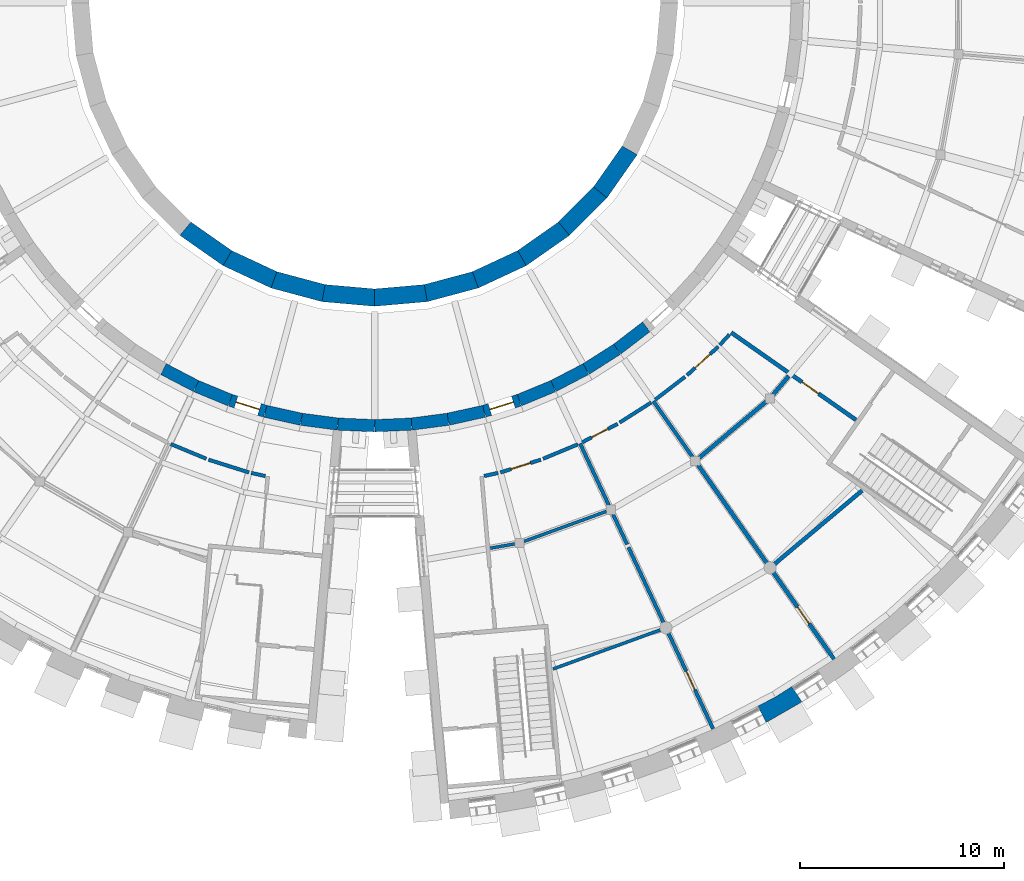
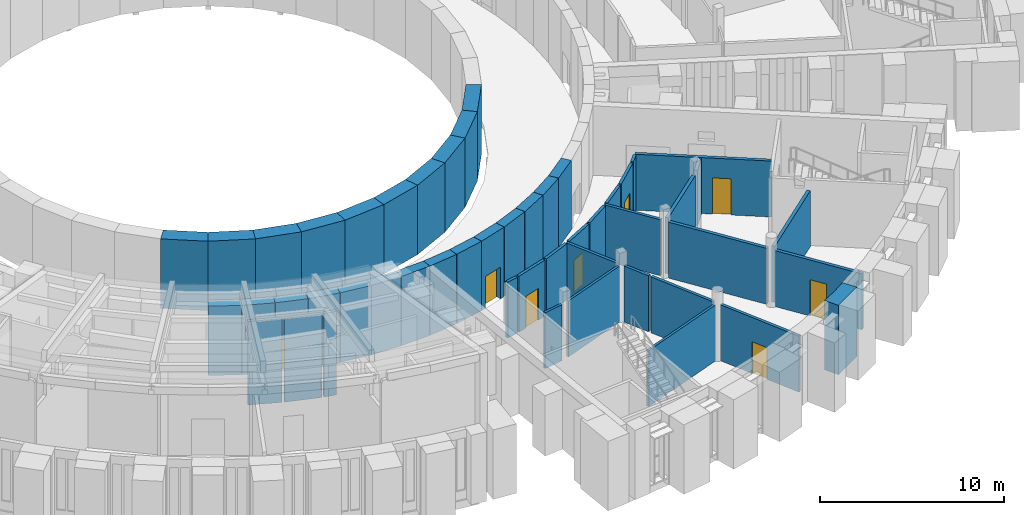
# One storey, part 39 of 66: 50 walls, 8 doors, 8 openings.
"""IFC4 building model written with IfcOpenShell, lengths in metres."""

import ifcopenshell
import ifcopenshell.guid

model = None  # the IFC model being written
_history = None  # IfcOwnerHistory: only IFC2X3 demands one
_inside = {}  # id of a spatial element -> (the spatial element, [elements in it])
_under = {}  # id of a project, library or spatial element -> (it, [spatial elements below it])
_declared = {}  # id of a project -> (the project, [libraries it declares])
_typed = {}  # id of a type object -> (the type object, [elements of that type])
_made_of = {}  # id of a material, layer set ... -> (it, [elements and type objects made of it])


def new_model(schema):
    """Start an empty IFC model of exactly this schema.

    Asked for "IFC4X3", IfcOpenShell would pick the latest addendum, in which some entities
    have other attributes; the version numbers below select the first issue.
    IFC2X3 requires an IfcOwnerHistory on every rooted entity: one is made here for all.
    """
    global model, _history
    if schema == "IFC4X3":
        model = ifcopenshell.file(schema_version=(4, 3, 0, 0))
    else:
        model = ifcopenshell.file(schema=schema)
    _inside.clear()
    _under.clear()
    _declared.clear()
    _typed.clear()
    _made_of.clear()
    _history = None
    if model.schema == "IFC2X3":
        org = make("IfcOrganization", Name="unknown")
        user = make(
            "IfcPersonAndOrganization",
            ThePerson=make("IfcPerson", FamilyName="unknown"),
            TheOrganization=org,
        )
        app = make(
            "IfcApplication",
            ApplicationDeveloper=org,
            Version="unknown",
            ApplicationFullName="unknown",
            ApplicationIdentifier="unknown",
        )
        _history = make(
            "IfcOwnerHistory",
            OwningUser=user,
            OwningApplication=app,
            ChangeAction="ADDED",
            CreationDate=0,
        )
    return model


def make(cls, **values):
    """One entity of the class cls with the attributes given. An attribute that is None is left unset."""
    return model.create_entity(
        cls, **{name: value for name, value in values.items() if value is not None}
    )


def rooted(cls, **values):
    """An entity with a GlobalId (a new one), such as an element, a storey or a relation."""
    return make(cls, GlobalId=ifcopenshell.guid.new(), OwnerHistory=_history, **values)


def si_unit(unit_type, name, prefix=None):
    """IfcSIUnit, for example si_unit("LENGTHUNIT", "METRE", prefix="MILLI")."""
    return make("IfcSIUnit", UnitType=unit_type, Prefix=prefix, Name=name)


def assignment(units):
    """IfcUnitAssignment: the units of a project."""
    return None if units is None else make("IfcUnitAssignment", Units=units)


def point(xyz):
    """IfcCartesianPoint."""
    return None if xyz is None else make("IfcCartesianPoint", Coordinates=xyz)


def direction(xyz):
    """IfcDirection."""
    return None if xyz is None else make("IfcDirection", DirectionRatios=xyz)


def frame(location, z_axis=None, x_axis=None):
    """IfcAxis2Placement3D, a coordinate frame: its origin and axes. An axis left out is left unset."""
    return make(
        "IfcAxis2Placement3D",
        Location=point(location),
        Axis=direction(z_axis),
        RefDirection=direction(x_axis),
    )


def frame_2d(location, x_axis=None):
    """IfcAxis2Placement2D, a coordinate frame in the plane: its origin and x axis."""
    return make(
        "IfcAxis2Placement2D", Location=point(location), RefDirection=direction(x_axis)
    )


def origin():
    """The frame at (0, 0, 0) with its axes left unset."""
    return frame((0.0, 0.0, 0.0))


def place(relative_to, where):
    """IfcLocalPlacement: puts the frame where relative to a parent placement (None: the world)."""
    return make(
        "IfcLocalPlacement", PlacementRelTo=relative_to, RelativePlacement=where
    )


def context(
    kind, dimensions, precision=None, world=None, true_north=None, identifier=None
):
    """IfcGeometricRepresentationContext, for example the 3D "Model" context."""
    return make(
        "IfcGeometricRepresentationContext",
        ContextIdentifier=identifier,
        ContextType=kind,
        CoordinateSpaceDimension=dimensions,
        Precision=precision,
        WorldCoordinateSystem=world,
        TrueNorth=true_north,
    )


def subcontext(parent, identifier, kind, view, scale=None):
    """IfcGeometricRepresentationSubContext, for example "Body" below "Model"."""
    return make(
        "IfcGeometricRepresentationSubContext",
        ContextIdentifier=identifier,
        ContextType=kind,
        ParentContext=parent,
        TargetScale=scale,
        TargetView=view,
    )


def project(units=None, contexts=None):
    """IfcProject with its units and contexts."""
    return rooted(
        "IfcProject",
        Name="project",
        RepresentationContexts=contexts,
        UnitsInContext=assignment(units),
    )


def spatial(cls, under=None, at=None, **own):
    """A site, building, storey or space (cls), placed at a placement, below another one or the project."""
    s = rooted(cls, ObjectPlacement=at, **own)
    if under is not None:
        _under.setdefault(under.id(), (under, []))[1].append(s)
    return s


def polyline(points):
    """IfcPolyline through the points."""
    return make("IfcPolyline", Points=[point(p) for p in points])


def profile(cls, at=None, kind="AREA", **sizes):
    """A parametric profile (cls). Its sizes go by their IFC names, for example OverallWidth=200.0."""
    return make(cls, ProfileType=kind, Position=at, **sizes)


def rectangle(**sizes):
    """IfcRectangleProfileDef."""
    return profile("IfcRectangleProfileDef", **sizes)


def outline(outer, holes=None, kind="AREA"):
    """IfcArbitraryClosedProfileDef: a profile drawn as a closed curve; with holes, ...WithVoids."""
    if holes is None:
        return make("IfcArbitraryClosedProfileDef", ProfileType=kind, OuterCurve=outer)
    return make(
        "IfcArbitraryProfileDefWithVoids",
        ProfileType=kind,
        OuterCurve=outer,
        InnerCurves=holes,
    )


def extrude(swept, where, along, depth):
    """IfcExtrudedAreaSolid: the profile swept, set in the frame where, extruded along a direction by depth."""
    return make(
        "IfcExtrudedAreaSolid",
        SweptArea=swept,
        Position=where,
        ExtrudedDirection=direction(along),
        Depth=depth,
    )


def shape(context_of_items, identifier, shape_type, items):
    """IfcShapeRepresentation: the items that make up one representation, for example the "Body"."""
    return make(
        "IfcShapeRepresentation",
        ContextOfItems=context_of_items,
        RepresentationIdentifier=identifier,
        RepresentationType=shape_type,
        Items=items,
    )


def material(Name=None, Category=None):
    """IfcMaterial."""
    return make("IfcMaterial", Name=Name, Category=Category)


def layer(
    of_material, thickness, ventilated=None, Name=None, Category=None, Priority=None
):
    """IfcMaterialLayer: one layer of a wall or slab, of a material (None: an air gap)."""
    return make(
        "IfcMaterialLayer",
        Material=of_material,
        LayerThickness=thickness,
        IsVentilated=ventilated,
        Name=Name,
        Category=Category,
        Priority=Priority,
    )


def layer_set(layers, Name=None):
    """IfcMaterialLayerSet."""
    return make("IfcMaterialLayerSet", MaterialLayers=layers, LayerSetName=Name)


def made_of(thing, what):
    """Note that an element or type object is made of a material, layer set ...; save() writes the relation."""
    if what is not None:
        _made_of.setdefault(what.id(), (what, []))[1].append(thing)
    return thing


def type_object(cls, material=None, **own):
    """A type object (cls), such as IfcWallType, which elements share."""
    return made_of(rooted(cls, **own), material)


def element(
    cls,
    number,
    at=None,
    inside=None,
    cuts=None,
    type_object=None,
    material=None,
    context=None,
    identifier="Body",
    shape_type=None,
    held_by="IfcProductDefinitionShape",
    body=None,
    shapes=None,
    **own,
):
    """One element of the class cls, such as IfcWall. Its Tag is "e" and its number.

    at: its placement. inside: the storey or other place that contains it. cuts: it is an
    opening in that element (IfcRelVoidsElement). A single representation is given by context,
    identifier, shape_type and body (its items); several are given by shapes. held_by: the class
    of the entity that holds the representations. save() writes the other relations.
    """
    e = rooted(cls, Tag="e%d" % number, ObjectPlacement=at, **own)
    if body is not None:
        shapes = [shape(context, identifier, shape_type, body)]
    if shapes is not None:
        e.Representation = make(held_by, Representations=shapes)
    if inside is not None:
        _inside.setdefault(inside.id(), (inside, []))[1].append(e)
    if cuts is not None:
        rooted(
            "IfcRelVoidsElement", RelatingBuildingElement=cuts, RelatedOpeningElement=e
        )
    if type_object is not None:
        _typed.setdefault(type_object.id(), (type_object, []))[1].append(e)
    return made_of(e, material)


def fill(opening, filler):
    """IfcRelFillsElement: the door or window that sits in an opening."""
    return rooted(
        "IfcRelFillsElement",
        RelatingOpeningElement=opening,
        RelatedBuildingElement=filler,
    )


def aggregate(whole, parts):
    """IfcRelAggregates: a whole, such as a stair, and the parts it consists of."""
    return rooted("IfcRelAggregates", RelatingObject=whole, RelatedObjects=parts)


def save(model, path):
    """Write the relations noted so far, then the file.

    IfcRelAggregates (storeys below a building ...), IfcRelContainedInSpatialStructure (elements
    in a storey), IfcRelDefinesByType, IfcRelAssociatesMaterial and IfcRelDeclares: one each for
    every whole, place, type object, material and project.
    """
    for whole, parts in _under.values():
        aggregate(whole, parts)
    for where, things in _inside.values():
        rooted(
            "IfcRelContainedInSpatialStructure",
            RelatedElements=things,
            RelatingStructure=where,
        )
    for kind, things in _typed.values():
        rooted("IfcRelDefinesByType", RelatedObjects=things, RelatingType=kind)
    for what, things in _made_of.values():
        rooted("IfcRelAssociatesMaterial", RelatedObjects=things, RelatingMaterial=what)
    for by, libraries in _declared.values():
        rooted("IfcRelDeclares", RelatingContext=by, RelatedDefinitions=libraries)
    model.write(path)


model = new_model("IFC4")

# Units and contexts
model_context = context("Model", 3, precision=1e-05, world=origin(), true_north=direction((0.0, 1.0)))
body_context = subcontext(model_context, "Body", "Model", "MODEL_VIEW")
ifc_project = project(units=[si_unit("LENGTHUNIT", "METRE"), si_unit("AREAUNIT", "SQUARE_METRE"), si_unit("VOLUMEUNIT", "CUBIC_METRE"), si_unit("PLANEANGLEUNIT", "RADIAN"), si_unit("MASSUNIT", "GRAM", prefix="KILO")], contexts=[model_context])

# Site, building, storey
site_placement = place(None, origin())
site = spatial("IfcSite", under=ifc_project, at=site_placement, CompositionType="ELEMENT")
building_placement = place(site_placement, origin())
building = spatial("IfcBuilding", under=site, at=building_placement, Name="Volute Hill Aquarium", CompositionType="ELEMENT")
storey_placement = place(building_placement, frame((0.0, 0.0, 4.60009765625)))
storey = spatial("IfcBuildingStorey", under=building, at=storey_placement, Name="L02", CompositionType="ELEMENT", Elevation=4.60009765625)

# Walls
ifc_material_1 = material(Name="Gypsum board on steel studs", Category="steel")
ifc_layer_1 = layer(ifc_material_1, 0.14990234375)
ifc_layer_set_1 = layer_set([ifc_layer_1], Name="Acoustic partition 150")
wall_type_1 = type_object("IfcWallType", Name="Acoustic partition 150", PredefinedType="PARTITIONING", material=ifc_layer_set_1)
wall_1_placement = place(storey_placement, frame((14.045166015625, -30.68505859375, 0.0), z_axis=(0.0, 0.0, 1.0), x_axis=(-0.939689857066, -0.342027736489, 0.0)))
element("IfcWall", 1, at=wall_1_placement, inside=storey, type_object=wall_type_1, Name="pw/S3/L02/004", PredefinedType="PARTITIONING", context=body_context, shape_type="SweptSolid", body=[
    extrude(rectangle(XDim=5.646240234375, YDim=0.14990234375, at=frame_2d((2.8232421875, 0.0))), origin(), (0.0, 0.0, 1.0), 3.7099609375),
])
wall_2_placement = place(storey_placement, frame((11.347412109375, -24.899658203125, 0.0), z_axis=(0.0, 0.0, 1.0), x_axis=(-0.939698761805, -0.342003270543, 0.0)))
element("IfcWall", 2, at=wall_2_placement, inside=storey, type_object=wall_type_1, Name="pw/S3/L02/008", PredefinedType="PARTITIONING", context=body_context, shape_type="SweptSolid", body=[
    extrude(rectangle(XDim=4.2939453125, YDim=0.14990234375, at=frame_2d((2.14697265625, 0.0))), origin(), (0.0, 0.0, 1.0), 3.7099609375),
])
wall_3_placement = place(storey_placement, frame((6.85107421875, -26.49169921875, 0.0), z_axis=(0.0, 0.0, 1.0), x_axis=(-0.984775389783, -0.173831618753, 0.0)))
element("IfcWall", 3, at=wall_3_placement, inside=storey, type_object=wall_type_1, Name="pw/S3/L02/020", PredefinedType="PARTITIONING", context=body_context, shape_type="SweptSolid", body=[
    extrude(rectangle(XDim=1.20361328125, YDim=0.14990234375, at=frame_2d((0.601806640625, 0.0))), origin(), (0.0, 0.0, 1.0), 3.7099609375),
])
ifc_material_2 = material(Name="Gypsum board on steel studs", Category="steel")
ifc_layer_2 = layer(ifc_material_2, 0.175048828125)
ifc_layer_set_2 = layer_set([ifc_layer_2], Name="Corridor partition 175 EI 60")
wall_type_2 = type_object("IfcWallType", Name="Corridor partition 175 EI 60", PredefinedType="PARTITIONING", material=ifc_layer_set_2)
wall_4_placement = place(storey_placement, frame((-6.159912109375, -22.989013671875, 0.0), z_axis=(0.0, 0.0, 1.0), x_axis=(-0.953730050022, 0.300664250759, 0.0)))
element("IfcWall", 4, at=wall_4_placement, inside=storey, type_object=wall_type_2, Name="pw/S2/L02/010", PredefinedType="PARTITIONING", context=body_context, shape_type="SweptSolid", body=[
    extrude(rectangle(XDim=2.076416015625, YDim=0.175048828125, at=frame_2d((1.0380859375, 0.0))), origin(), (0.0, 0.0, 1.0), 5.54150390625),
])
wall_5_placement = place(storey_placement, frame((-8.24853515625, -22.319580078125, 0.0), z_axis=(0.0, 0.0, 1.0), x_axis=(-0.923882216761, 0.382676951949, 0.0)))
element("IfcWall", 5, at=wall_5_placement, inside=storey, type_object=wall_type_2, Name="pw/S2/L02/012", PredefinedType="PARTITIONING", context=body_context, shape_type="SweptSolid", body=[
    extrude(rectangle(XDim=1.87890625, YDim=0.175048828125, at=frame_2d((0.939453125, 0.0))), origin(), (0.0, 0.0, 1.0), 5.54248046875),
])
wall_6_placement = place(storey_placement, frame((-5.35595703125, -23.167236328125, 0.0), z_axis=(0.0, 0.0, 1.0), x_axis=(-0.976284608058, 0.216491025379, 0.0)))
element("IfcWall", 6, at=wall_6_placement, inside=storey, type_object=wall_type_2, Name="pw/S2/L02/014", PredefinedType="PARTITIONING", context=body_context, shape_type="SweptSolid", body=[
    extrude(rectangle(XDim=0.7060546875, YDim=0.175048828125, at=frame_2d((0.35302734375, 0.0))), origin(), (0.0, 0.0, 1.0), 5.54296875),
])

# Wall, opening, door
wall_7_placement = place(storey_placement, frame((16.5751953125, -35.54541015625, 0.0), z_axis=(0.0, 0.0, 1.0), x_axis=(-0.422659862642, 0.906288387056, 0.0)))
wall_7 = element("IfcWall", 7, at=wall_7_placement, inside=storey, type_object=wall_type_2, Name="pw/S3/L02/006", PredefinedType="PARTITIONING", context=body_context, shape_type="SweptSolid", body=[
    extrude(rectangle(XDim=5.213623046875, YDim=0.175048828125, at=frame_2d((2.60693359375, 0.0))), origin(), (0.0, 0.0, 1.0), 3.7099609375),
])
opening_1_placement = place(wall_7_placement, frame((2.106689453125, 0.0, 0.0)))
opening_1 = element("IfcOpeningElement", 8, at=opening_1_placement, cuts=wall_7, Name="Opening D3.02.06", PredefinedType="OPENING", context=body_context, shape_type="SweptSolid", body=[
    extrude(rectangle(XDim=1.0, YDim=2.10009765625, at=frame_2d((0.5, 1.050048828125))), frame((0.0, 0.097412109375, 0.0), z_axis=(0.0, -1.0, 0.0), x_axis=(1.0, 0.0, 0.0)), (0.0, 0.0, 1.0), 0.195068359375),
])
ifc_material_3 = material(Name="Timber, fire-rated", Category="wood")
door_type_1 = type_object("IfcDoorType", Name="Door 1000 x 2100 single EI1 30", OperationType="SINGLE_SWING_LEFT", PredefinedType="DOOR", material=ifc_material_3)
door_1_placement = place(opening_1_placement, origin())
door_1 = element("IfcDoor", 9, at=door_1_placement, inside=storey, type_object=door_type_1, Name="d/S3/L02/06", OperationType="SINGLE_SWING_RIGHT", OverallHeight=2.10009765625, OverallWidth=1.0, PredefinedType="DOOR", context=body_context, shape_type="SweptSolid", body=[
    extrude(rectangle(XDim=1.0, YDim=2.10009765625, at=frame_2d((0.5, 1.050048828125))), frame((0.0, 0.02490234375, 0.0), z_axis=(0.0, -1.0, 0.0), x_axis=(1.0, 0.0, 0.0)), (0.0, 0.0, 1.0), 0.050048828125),
])
fill(opening_1, door_1)

# Walls
wall_8_placement = place(storey_placement, frame((12.429931640625, -26.656005859375, 0.0), z_axis=(0.0, 0.0, 1.0), x_axis=(0.422628880051, -0.906302835561, 0.0)))
element("IfcWall", 10, at=wall_8_placement, inside=storey, type_object=wall_type_2, Name="pw/S3/L02/010", PredefinedType="PARTITIONING", context=body_context, shape_type="SweptSolid", body=[
    extrude(rectangle(XDim=4.115234375, YDim=0.175048828125, at=frame_2d((2.0576171875, 0.0))), origin(), (0.0, 0.0, 1.0), 3.7099609375),
])
wall_9_placement = place(storey_placement, frame((11.471435546875, -24.6005859375, 0.0), z_axis=(0.0, 0.0, 1.0), x_axis=(-0.422601651571, 0.906315532301, 0.0)))
element("IfcWall", 11, at=wall_9_placement, inside=storey, type_object=wall_type_2, Name="pw/S3/L02/011", PredefinedType="PARTITIONING", context=body_context, shape_type="SweptSolid", body=[
    extrude(rectangle(XDim=3.34375, YDim=0.175048828125, at=frame_2d((1.671875, 0.0))), origin(), (0.0, 0.0, 1.0), 3.7099609375),
])
wall_10_placement = place(storey_placement, frame((15.56884765625, -22.234619140625, 0.0), z_axis=(0.0, 0.0, 1.0), x_axis=(-0.573579956171, 0.819149579673, 0.0)))
element("IfcWall", 12, at=wall_10_placement, inside=storey, type_object=wall_type_2, Name="pw/S3/L02/012", PredefinedType="PARTITIONING", context=body_context, shape_type="SweptSolid", body=[
    extrude(rectangle(XDim=3.343505859375, YDim=0.175048828125, at=frame_2d((1.671875, 0.0))), origin(), (0.0, 0.0, 1.0), 3.7099609375),
])

# Wall, opening, door
wall_11_placement = place(storey_placement, frame((16.8291015625, -16.8291015625, 0.0), z_axis=(0.0, 0.0, 1.0), x_axis=(-0.737241988031, -0.675628782013, 0.0)))
wall_11 = element("IfcWall", 13, at=wall_11_placement, inside=storey, type_object=wall_type_2, Name="pw/S3/L02/013", PredefinedType="PARTITIONING", context=body_context, shape_type="SweptSolid", body=[
    extrude(rectangle(XDim=2.076416015625, YDim=0.175048828125, at=frame_2d((1.0380859375, 0.0))), origin(), (0.0, 0.0, 1.0), 3.7099609375),
])
opening_2_placement = place(wall_11_placement, frame((0.5380859375, 0.0, 0.0)))
opening_2 = element("IfcOpeningElement", 14, at=opening_2_placement, cuts=wall_11, Name="Opening D3.02.03", PredefinedType="OPENING", context=body_context, shape_type="SweptSolid", body=[
    extrude(rectangle(XDim=1.0, YDim=2.10009765625, at=frame_2d((0.5, 1.050048828125))), frame((0.0, 0.097412109375, 0.0), z_axis=(0.0, -1.0, 0.0), x_axis=(1.0, 0.0, 0.0)), (0.0, 0.0, 1.0), 0.195068359375),
])
door_2_placement = place(opening_2_placement, origin())
door_2 = element("IfcDoor", 15, at=door_2_placement, inside=storey, type_object=door_type_1, Name="d/S3/L02/03", OperationType="SINGLE_SWING_LEFT", OverallHeight=2.10009765625, OverallWidth=1.0, PredefinedType="DOOR", context=body_context, shape_type="SweptSolid", body=[
    extrude(rectangle(XDim=1.0, YDim=2.10009765625, at=frame_2d((0.5, 1.050048828125))), frame((0.0, 0.02490234375, 0.0), z_axis=(0.0, -1.0, 0.0), x_axis=(1.0, 0.0, 0.0)), (0.0, 0.0, 1.0), 0.050048828125),
])
fill(opening_2, door_2)

wall_12_placement = place(storey_placement, frame((11.89990234375, -20.611328125, 0.0), z_axis=(0.0, 0.0, 1.0), x_axis=(-0.886977909213, -0.46181185408, 0.0)))
wall_12 = element("IfcWall", 16, at=wall_12_placement, inside=storey, type_object=wall_type_2, Name="pw/S3/L02/014", PredefinedType="PARTITIONING", context=body_context, shape_type="SweptSolid", body=[
    extrude(rectangle(XDim=1.958740234375, YDim=0.175048828125, at=frame_2d((0.9794921875, 0.0))), origin(), (0.0, 0.0, 1.0), 3.7099609375),
])
opening_3_placement = place(wall_12_placement, frame((0.529296875, 0.0, 0.0)))
opening_3 = element("IfcOpeningElement", 17, at=opening_3_placement, cuts=wall_12, Name="Opening D3.02.01", PredefinedType="OPENING", context=body_context, shape_type="SweptSolid", body=[
    extrude(rectangle(XDim=0.89990234375, YDim=2.10009765625, at=frame_2d((0.449951171875, 1.050048828125))), frame((0.0, 0.097412109375, 0.0), z_axis=(0.0, -1.0, 0.0), x_axis=(1.0, 0.0, 0.0)), (0.0, 0.0, 1.0), 0.195068359375),
])
ifc_material_4 = material(Name="Timber, fire-rated", Category="wood")
door_type_2 = type_object("IfcDoorType", Name="Door 900 x 2100 wc single EI1 30", OperationType="SINGLE_SWING_LEFT", PredefinedType="DOOR", material=ifc_material_4)
door_3_placement = place(opening_3_placement, origin())
door_3 = element("IfcDoor", 18, at=door_3_placement, inside=storey, type_object=door_type_2, Name="d/S3/L02/01", OperationType="SINGLE_SWING_LEFT", OverallHeight=2.10009765625, OverallWidth=0.89990234375, PredefinedType="DOOR", context=body_context, shape_type="SweptSolid", body=[
    extrude(rectangle(XDim=0.89990234375, YDim=2.10009765625, at=frame_2d((0.449951171875, 1.050048828125))), frame((0.0, 0.02490234375, 0.0), z_axis=(0.0, -1.0, 0.0), x_axis=(1.0, 0.0, 0.0)), (0.0, 0.0, 1.0), 0.050048828125),
])
fill(opening_3, door_3)

wall_13_placement = place(storey_placement, frame((8.14013671875, -22.36474609375, 0.0), z_axis=(0.0, 0.0, 1.0), x_axis=(-0.953730050022, -0.300664250759, 0.0)))
wall_13 = element("IfcWall", 19, at=wall_13_placement, inside=storey, type_object=wall_type_2, Name="pw/S3/L02/015", PredefinedType="PARTITIONING", context=body_context, shape_type="SweptSolid", body=[
    extrude(rectangle(XDim=2.076416015625, YDim=0.175048828125, at=frame_2d((1.0380859375, 0.0))), origin(), (0.0, 0.0, 1.0), 3.7099609375),
])
opening_4_placement = place(wall_13_placement, frame((0.5380859375, 0.0, 0.0)))
opening_4 = element("IfcOpeningElement", 20, at=opening_4_placement, cuts=wall_13, Name="Opening D3.02.02", PredefinedType="OPENING", context=body_context, shape_type="SweptSolid", body=[
    extrude(rectangle(XDim=1.0, YDim=2.10009765625, at=frame_2d((0.5, 1.050048828125))), frame((0.0, 0.097412109375, 0.0), z_axis=(0.0, -1.0, 0.0), x_axis=(1.0, 0.0, 0.0)), (0.0, 0.0, 1.0), 0.195068359375),
])
door_4_placement = place(opening_4_placement, origin())
door_4 = element("IfcDoor", 21, at=door_4_placement, inside=storey, type_object=door_type_1, Name="d/S3/L02/02", OperationType="SINGLE_SWING_RIGHT", OverallHeight=2.10009765625, OverallWidth=1.0, PredefinedType="DOOR", context=body_context, shape_type="SweptSolid", body=[
    extrude(rectangle(XDim=1.0, YDim=2.10009765625, at=frame_2d((0.5, 1.050048828125))), frame((0.0, 0.02490234375, 0.0), z_axis=(0.0, -1.0, 0.0), x_axis=(1.0, 0.0, 0.0)), (0.0, 0.0, 1.0), 0.050048828125),
])
fill(opening_4, door_4)

# Walls
for number, where, z_axis, x_axis, name in (
    (22, (13.552001953125, -19.558837890625, 0.0), (0.0, 0.0, 1.0), (-0.843355631899, -0.537355820797, 0.0), "pw/S3/L02/016"),
    (23, (9.94970703125, -21.614990234375, 0.0), (0.0, 0.0, 1.0), (-0.923890787601, -0.382656259044, 0.0), "pw/S3/L02/017"),
):
    element("IfcWall", number, at=place(storey_placement, frame(where, z_axis=z_axis, x_axis=x_axis)), inside=storey, type_object=wall_type_2, Name=name, PredefinedType="PARTITIONING", context=body_context, shape_type="SweptSolid", body=[
        extrude(rectangle(XDim=1.84130859375, YDim=0.175048828125, at=frame_2d((0.920654296875, 0.0))), origin(), (0.0, 0.0, 1.0), 3.7099609375),
    ])
wall_14_placement = place(storey_placement, frame((15.205078125, -18.303466796875, 0.0), z_axis=(0.0, 0.0, 1.0), x_axis=(-0.793348048489, -0.608768325357, 0.0)))
element("IfcWall", 24, at=wall_14_placement, inside=storey, type_object=wall_type_2, Name="pw/S3/L02/018", PredefinedType="PARTITIONING", context=body_context, shape_type="SweptSolid", body=[
    extrude(rectangle(XDim=1.841064453125, YDim=0.175048828125, at=frame_2d((0.92041015625, 0.0))), origin(), (0.0, 0.0, 1.0), 3.7099609375),
])
wall_15_placement = place(storey_placement, frame((11.674072265625, -25.034912109375, 0.0), z_axis=(0.0, 0.0, 1.0), x_axis=(0.422616329409, -0.906308688095, 0.0)))
element("IfcWall", 25, at=wall_15_placement, inside=storey, type_object=wall_type_2, Name="pw/S3/L02/019", PredefinedType="PARTITIONING", context=body_context, shape_type="SweptSolid", body=[
    extrude(rectangle(XDim=1.638916015625, YDim=0.175048828125, at=frame_2d((0.8193359375, 0.0))), origin(), (0.0, 0.0, 1.0), 3.7099609375),
])
wall_16_placement = place(storey_placement, frame((6.045166015625, -23.014404296875, 0.0), z_axis=(0.0, 0.0, 1.0), x_axis=(-0.976284608058, -0.216491025379, 0.0)))
element("IfcWall", 26, at=wall_16_placement, inside=storey, type_object=wall_type_2, Name="pw/S3/L02/022", PredefinedType="PARTITIONING", context=body_context, shape_type="SweptSolid", body=[
    extrude(rectangle(XDim=0.7060546875, YDim=0.175048828125, at=frame_2d((0.35302734375, 0.0))), origin(), (0.0, 0.0, 1.0), 3.7099609375),
])
wall_17_placement = place(storey_placement, frame((17.376953125, -16.231201171875, 0.0), z_axis=(0.0, 0.0, 1.0), x_axis=(-0.675628965134, -0.737241820214, 0.0)))
element("IfcWall", 27, at=wall_17_placement, inside=storey, type_object=wall_type_2, Name="pw/S3/L02/023", PredefinedType="PARTITIONING", context=body_context, shape_type="SweptSolid", body=[
    extrude(rectangle(XDim=0.693359375, YDim=0.175048828125, at=frame_2d((0.3466796875, 0.0))), origin(), (0.0, 0.0, 1.0), 3.7099609375),
])
ifc_material_5 = material(Name="Concrete C35/45", Category="concrete")
ifc_layer_3 = layer(ifc_material_5, 0.60009765625)
ifc_layer_set_3 = layer_set([ifc_layer_3], Name="Drum wall C35/45 600")
wall_type_3 = type_object("IfcWallType", Name="Drum wall C35/45 600", PredefinedType="SHEAR", material=ifc_layer_set_3)
for number, where, z_axis, x_axis, name in (
    (28, (-10.35009765625, -17.9267578125, 0.0), (0.0, 0.0, 1.0), (0.887035219654, -0.461701764231, 0.0), "sw/DR/L02/48"),
    (29, (-8.748291015625, -18.760498046875, 0.0), (0.0, 0.0, 1.0), (0.923866889322, -0.382713954298, 0.0), "sw/DR/L02/49"),
):
    element("IfcWall", number, at=place(storey_placement, frame(where, z_axis=z_axis, x_axis=x_axis)), inside=storey, type_object=wall_type_3, Name=name, PredefinedType="SHEAR", context=body_context, shape_type="SweptSolid", body=[
        extrude(rectangle(XDim=1.805908203125, YDim=0.60009765625, at=frame_2d((0.90283203125, 0.0))), origin(), (0.0, 0.0, 1.0), 4.599853515625),
    ])

# Wall, opening, door
wall_18_placement = place(storey_placement, frame((-7.079833984375, -19.45166015625, 0.0), z_axis=(0.0, 0.0, 1.0), x_axis=(0.953721512733, -0.300691330354, 0.0)))
wall_18 = element("IfcWall", 30, at=wall_18_placement, inside=storey, type_object=wall_type_3, Name="sw/DR/L02/50", PredefinedType="SHEAR", context=body_context, shape_type="SweptSolid", body=[
    extrude(rectangle(XDim=1.8056640625, YDim=0.60009765625, at=frame_2d((0.90283203125, 0.0))), origin(), (0.0, 0.0, 1.0), 4.599853515625),
])
opening_5_placement = place(wall_18_placement, frame((0.302978515625, 0.0, 0.0)))
opening_5 = element("IfcOpeningElement", 31, at=opening_5_placement, cuts=wall_18, Name="Opening D2.02.R2", PredefinedType="OPENING", context=body_context, shape_type="SweptSolid", body=[
    extrude(rectangle(XDim=1.199951171875, YDim=2.10009765625, at=frame_2d((0.60009765625, 1.050048828125))), frame((0.0, 0.31005859375, 0.0), z_axis=(0.0, -1.0, 0.0), x_axis=(1.0, 0.0, 0.0)), (0.0, 0.0, 1.0), 0.6201171875),
])
ifc_material_6 = material(Name="Timber", Category="wood")
door_type_3 = type_object("IfcDoorType", Name="Door 1200 x 2100 drum double", OperationType="DOUBLE_DOOR_SINGLE_SWING", PredefinedType="DOOR", material=ifc_material_6)
door_5_placement = place(opening_5_placement, origin())
door_5 = element("IfcDoor", 32, at=door_5_placement, inside=storey, type_object=door_type_3, Name="d/S2/L02/dr2", OperationType="SINGLE_SWING_LEFT", OverallHeight=2.10009765625, OverallWidth=1.199951171875, PredefinedType="DOOR", context=body_context, shape_type="SweptSolid", body=[
    extrude(rectangle(XDim=1.199951171875, YDim=2.10009765625, at=frame_2d((0.60009765625, 1.050048828125))), frame((0.0, 0.02490234375, 0.0), z_axis=(0.0, -1.0, 0.0), x_axis=(1.0, 0.0, 0.0)), (0.0, 0.0, 1.0), 0.050048828125),
])
fill(opening_5, door_5)

# Walls
wall_19_placement = place(storey_placement, frame((-5.357666015625, -19.99462890625, 0.0), z_axis=(0.0, 0.0, 1.0), x_axis=(0.976298259567, -0.216429453554, 0.0)))
element("IfcWall", 33, at=wall_19_placement, inside=storey, type_object=wall_type_3, Name="sw/DR/L02/51", PredefinedType="SHEAR", context=body_context, shape_type="SweptSolid", body=[
    extrude(rectangle(XDim=1.805908203125, YDim=0.60009765625, at=frame_2d((0.90283203125, 0.0))), origin(), (0.0, 0.0, 1.0), 4.599853515625),
])
wall_20_placement = place(storey_placement, frame((-3.594482421875, -20.385498046875, 0.0), z_axis=(0.0, 0.0, 1.0), x_axis=(0.991451994433, -0.130471999813, 0.0)))
element("IfcWall", 34, at=wall_20_placement, inside=storey, type_object=wall_type_3, Name="sw/DR/L02/52", PredefinedType="SHEAR", context=body_context, shape_type="SweptSolid", body=[
    extrude(rectangle(XDim=1.8056640625, YDim=0.60009765625, at=frame_2d((0.90283203125, 0.0))), origin(), (0.0, 0.0, 1.0), 4.599853515625),
])
for number, where, z_axis, x_axis, name in (
    (35, (-1.80419921875, -20.62109375, 0.0), (0.0, 0.0, 1.0), (0.999046184291, -0.043666024022, 0.0), "sw/DR/L02/53"),
    (36, (0.0, -20.699951171875, 0.0), (0.0, 0.0, 1.0), (0.999046184291, 0.043666024022, 0.0), "sw/DR/L02/54"),
):
    element("IfcWall", number, at=place(storey_placement, frame(where, z_axis=z_axis, x_axis=x_axis)), inside=storey, type_object=wall_type_3, Name=name, PredefinedType="SHEAR", context=body_context, shape_type="SweptSolid", body=[
        extrude(rectangle(XDim=1.805908203125, YDim=0.60009765625, at=frame_2d((0.90283203125, 0.0))), origin(), (0.0, 0.0, 1.0), 4.599853515625),
    ])
wall_21_placement = place(storey_placement, frame((1.80419921875, -20.62109375, 0.0), z_axis=(0.0, 0.0, 1.0), x_axis=(0.991451994433, 0.130471999813, 0.0)))
element("IfcWall", 37, at=wall_21_placement, inside=storey, type_object=wall_type_3, Name="sw/DR/L02/55", PredefinedType="SHEAR", context=body_context, shape_type="SweptSolid", body=[
    extrude(rectangle(XDim=1.8056640625, YDim=0.60009765625, at=frame_2d((0.90283203125, 0.0))), origin(), (0.0, 0.0, 1.0), 4.599853515625),
])
wall_22_placement = place(storey_placement, frame((3.594482421875, -20.385498046875, 0.0), z_axis=(0.0, 0.0, 1.0), x_axis=(0.976298259567, 0.216429453554, 0.0)))
element("IfcWall", 38, at=wall_22_placement, inside=storey, type_object=wall_type_3, Name="sw/DR/L02/56", PredefinedType="SHEAR", context=body_context, shape_type="SweptSolid", body=[
    extrude(rectangle(XDim=1.805908203125, YDim=0.60009765625, at=frame_2d((0.90283203125, 0.0))), origin(), (0.0, 0.0, 1.0), 4.599853515625),
])

# Wall, opening, door
wall_23_placement = place(storey_placement, frame((5.357666015625, -19.99462890625, 0.0), z_axis=(0.0, 0.0, 1.0), x_axis=(0.953721512733, 0.300691330354, 0.0)))
wall_23 = element("IfcWall", 39, at=wall_23_placement, inside=storey, type_object=wall_type_3, Name="sw/DR/L02/57", PredefinedType="SHEAR", context=body_context, shape_type="SweptSolid", body=[
    extrude(rectangle(XDim=1.8056640625, YDim=0.60009765625, at=frame_2d((0.90283203125, 0.0))), origin(), (0.0, 0.0, 1.0), 4.599853515625),
])
opening_6_placement = place(wall_23_placement, frame((0.302978515625, 0.0, 0.0)))
opening_6 = element("IfcOpeningElement", 40, at=opening_6_placement, cuts=wall_23, Name="Opening D3.02.R1", PredefinedType="OPENING", context=body_context, shape_type="SweptSolid", body=[
    extrude(rectangle(XDim=1.199951171875, YDim=2.10009765625, at=frame_2d((0.60009765625, 1.050048828125))), frame((0.0, 0.31005859375, 0.0), z_axis=(0.0, -1.0, 0.0), x_axis=(1.0, 0.0, 0.0)), (0.0, 0.0, 1.0), 0.6201171875),
])
door_6_placement = place(opening_6_placement, origin())
door_6 = element("IfcDoor", 41, at=door_6_placement, inside=storey, type_object=door_type_3, Name="d/S3/L02/dr1", OperationType="SINGLE_SWING_LEFT", OverallHeight=2.10009765625, OverallWidth=1.199951171875, PredefinedType="DOOR", context=body_context, shape_type="SweptSolid", body=[
    extrude(rectangle(XDim=1.199951171875, YDim=2.10009765625, at=frame_2d((0.60009765625, 1.050048828125))), frame((0.0, 0.02490234375, 0.0), z_axis=(0.0, -1.0, 0.0), x_axis=(1.0, 0.0, 0.0)), (0.0, 0.0, 1.0), 0.050048828125),
])
fill(opening_6, door_6)

# Walls
for number, where, z_axis, x_axis, name in (
    (42, (7.079833984375, -19.45166015625, 0.0), (0.0, 0.0, 1.0), (0.923866889322, 0.382713954298, 0.0), "sw/DR/L02/58"),
    (43, (8.748291015625, -18.760498046875, 0.0), (0.0, 0.0, 1.0), (0.887035219654, 0.461701764231, 0.0), "sw/DR/L02/59"),
    (44, (10.35009765625, -17.9267578125, 0.0), (0.0, 0.0, 1.0), (0.843332890803, 0.537391510251, 0.0), "sw/DR/L02/60"),
):
    element("IfcWall", number, at=place(storey_placement, frame(where, z_axis=z_axis, x_axis=x_axis)), inside=storey, type_object=wall_type_3, Name=name, PredefinedType="SHEAR", context=body_context, shape_type="SweptSolid", body=[
        extrude(rectangle(XDim=1.805908203125, YDim=0.60009765625, at=frame_2d((0.90283203125, 0.0))), origin(), (0.0, 0.0, 1.0), 4.599853515625),
    ])
wall_24_placement = place(storey_placement, frame((11.873046875, -16.956298828125, 0.0), z_axis=(0.0, 0.0, 1.0), x_axis=(0.793397400526, 0.608704004289, 0.0)))
element("IfcWall", 45, at=wall_24_placement, inside=storey, type_object=wall_type_3, Name="sw/DR/L02/61", PredefinedType="SHEAR", context=body_context, shape_type="SweptSolid", body=[
    extrude(rectangle(XDim=1.8056640625, YDim=0.60009765625, at=frame_2d((0.90283203125, 0.0))), origin(), (0.0, 0.0, 1.0), 4.599853515625),
])

# Wall, opening, door
ifc_material_7 = material(Name="Masonry blockwork", Category="masonry")
ifc_layer_4 = layer(ifc_material_7, 0.199951171875)
ifc_layer_set_4 = layer_set([ifc_layer_4], Name="Fire partition 200 EI 60")
wall_type_4 = type_object("IfcWallType", Name="Fire partition 200 EI 60", PredefinedType="PARTITIONING", material=ifc_layer_set_4)
wall_25_placement = place(storey_placement, frame((23.57470703125, -20.41357421875, 0.0), z_axis=(0.0, 0.0, 1.0), x_axis=(-0.819168869171, 0.573552407179, 0.0)))
wall_25 = element("IfcWall", 46, at=wall_25_placement, inside=storey, type_object=wall_type_4, Name="pw/S3/L02/001", PredefinedType="PARTITIONING", context=body_context, shape_type="SweptSolid", body=[
    extrude(rectangle(XDim=7.458984375, YDim=0.199951171875, at=frame_2d((3.7294921875, 0.0))), origin(), (0.0, 0.0, 1.0), 3.7099609375),
])
opening_7_placement = place(wall_25_placement, frame((2.2294921875, 0.0, 0.0)))
opening_7 = element("IfcOpeningElement", 47, at=opening_7_placement, cuts=wall_25, Name="Opening D3.02.05", PredefinedType="OPENING", context=body_context, shape_type="SweptSolid", body=[
    extrude(rectangle(XDim=1.0, YDim=2.39990234375, at=frame_2d((0.5, 1.199951171875))), frame((0.0, 0.10986328125, 0.0), z_axis=(0.0, -1.0, 0.0), x_axis=(1.0, 0.0, 0.0)), (0.0, 0.0, 1.0), 0.219970703125),
])
ifc_material_8 = material(Name="Steel, fire-rated", Category="steel")
door_type_4 = type_object("IfcDoorType", Name="Door 1000 x 2400 laboratory EI1 30", OperationType="SINGLE_SWING_LEFT", PredefinedType="DOOR", material=ifc_material_8)
door_7_placement = place(opening_7_placement, origin())
door_7 = element("IfcDoor", 48, at=door_7_placement, inside=storey, type_object=door_type_4, Name="d/S3/L02/05", OperationType="SINGLE_SWING_LEFT", OverallHeight=2.39990234375, OverallWidth=1.0, PredefinedType="DOOR", context=body_context, shape_type="SweptSolid", body=[
    extrude(rectangle(XDim=1.0, YDim=2.39990234375, at=frame_2d((0.5, 1.199951171875))), frame((0.0, 0.02490234375, 0.0), z_axis=(0.0, -1.0, 0.0), x_axis=(1.0, 0.0, 0.0)), (0.0, 0.0, 1.0), 0.050048828125),
])
fill(opening_7, door_7)

# Walls
wall_26_placement = place(storey_placement, frame((19.230224609375, -27.463623046875, 0.0), z_axis=(0.0, 0.0, 1.0), x_axis=(-0.573565028322, 0.819160032158, 0.0)))
element("IfcWall", 49, at=wall_26_placement, inside=storey, type_object=wall_type_4, Name="pw/S3/L02/003", PredefinedType="PARTITIONING", context=body_context, shape_type="SweptSolid", body=[
    extrude(rectangle(XDim=5.90380859375, YDim=0.199951171875, at=frame_2d((2.951904296875, 0.0))), origin(), (0.0, 0.0, 1.0), 3.7099609375),
])
wall_27_placement = place(storey_placement, frame((23.876708984375, -23.876708984375, 0.0), z_axis=(0.0, 0.0, 1.0), x_axis=(-0.766054856191, -0.642775199666, 0.0)))
element("IfcWall", 50, at=wall_27_placement, inside=storey, type_object=wall_type_4, Name="pw/S3/L02/005", PredefinedType="PARTITIONING", context=body_context, shape_type="SweptSolid", body=[
    extrude(rectangle(XDim=5.64599609375, YDim=0.199951171875, at=frame_2d((2.822998046875, 0.0))), origin(), (0.0, 0.0, 1.0), 3.7099609375),
])

# Wall, opening, door
wall_28_placement = place(storey_placement, frame((19.50537109375, -27.8564453125, 0.0), z_axis=(0.0, 0.0, 1.0), x_axis=(0.573553483217, -0.819168115767, 0.0)))
wall_28 = element("IfcWall", 51, at=wall_28_placement, inside=storey, type_object=wall_type_4, Name="pw/S3/L02/007", PredefinedType="PARTITIONING", context=body_context, shape_type="SweptSolid", body=[
    extrude(rectangle(XDim=5.213623046875, YDim=0.199951171875, at=frame_2d((2.60693359375, 0.0))), origin(), (0.0, 0.0, 1.0), 3.7099609375),
])
opening_8_placement = place(wall_28_placement, frame((2.106689453125, 0.0, 0.0)))
opening_8 = element("IfcOpeningElement", 52, at=opening_8_placement, cuts=wall_28, Name="Opening D3.02.07", PredefinedType="OPENING", context=body_context, shape_type="SweptSolid", body=[
    extrude(rectangle(XDim=1.0, YDim=2.39990234375, at=frame_2d((0.5, 1.199951171875))), frame((0.0, 0.10986328125, 0.0), z_axis=(0.0, -1.0, 0.0), x_axis=(1.0, 0.0, 0.0)), (0.0, 0.0, 1.0), 0.219970703125),
])
door_8_placement = place(opening_8_placement, origin())
door_8 = element("IfcDoor", 53, at=door_8_placement, inside=storey, type_object=door_type_4, Name="d/S3/L02/07", OperationType="SINGLE_SWING_LEFT", OverallHeight=2.39990234375, OverallWidth=1.0, PredefinedType="DOOR", context=body_context, shape_type="SweptSolid", body=[
    extrude(rectangle(XDim=1.0, YDim=2.39990234375, at=frame_2d((0.5, 1.199951171875))), frame((0.0, 0.02490234375, 0.0), z_axis=(0.0, -1.0, 0.0), x_axis=(1.0, 0.0, 0.0)), (0.0, 0.0, 1.0), 0.050048828125),
])
fill(opening_8, door_8)

# Walls
wall_29_placement = place(storey_placement, frame((19.17919921875, -19.51708984375, 0.0), z_axis=(0.0, 0.0, 1.0), x_axis=(-0.766054249298, -0.642775922956, 0.0)))
element("IfcWall", 54, at=wall_29_placement, inside=storey, type_object=wall_type_4, Name="pw/S3/L02/009", PredefinedType="PARTITIONING", context=body_context, shape_type="SweptSolid", body=[
    extrude(rectangle(XDim=4.29345703125, YDim=0.199951171875, at=frame_2d((2.146728515625, 0.0))), origin(), (0.0, 0.0, 1.0), 3.7099609375),
])
wall_30_placement = place(storey_placement, frame((20.28271484375, -18.266845703125, 0.0), z_axis=(0.0, 0.0, 1.0), x_axis=(-0.642821852443, -0.766015708731, 0.0)))
element("IfcWall", 55, at=wall_30_placement, inside=storey, type_object=wall_type_4, Name="pw/S3/L02/021", PredefinedType="PARTITIONING", context=body_context, shape_type="SweptSolid", body=[
    extrude(rectangle(XDim=1.19091796875, YDim=0.199951171875, at=frame_2d((0.595458984375, 0.0))), origin(), (0.0, 0.0, 1.0), 3.7099609375),
])
ifc_material_9 = material(Name="Precast concrete C40/50", Category="concrete")
ifc_layer_5 = layer(ifc_material_9, 0.89990234375)
ifc_layer_set_5 = layer_set([ifc_layer_5], Name="Outer pier precast concrete C40/50 900")
wall_type_5 = type_object("IfcWallType", Name="Outer pier precast concrete C40/50 900", PredefinedType="NOTDEFINED", material=ifc_layer_set_5)
wall_31_placement = place(storey_placement, origin())
element("IfcWall", 56, at=wall_31_placement, inside=storey, type_object=wall_type_5, Name="Outer pier OWP S3 L02 6", PredefinedType="NOTDEFINED", context=body_context, shape_type="SweptSolid", body=[
    extrude(outline(polyline([(18.7666015625, -34.437744140625), (19.18212890625, -35.236083984375), (20.92431640625, -34.23046875), (20.440673828125, -33.471435546875), (19.624755859375, -33.9912109375), (18.7666015625, -34.437744140625)])), origin(), (0.0, 0.0, 1.0), 4.599853515625),
])
ifc_material_10 = material(Name="Concrete C40/50", Category="concrete")
ifc_layer_6 = layer(ifc_material_10, 0.85009765625)
ifc_layer_set_6 = layer_set([ifc_layer_6], Name="Tank wall C40/50 850")
wall_type_6 = type_object("IfcWallType", Name="Tank wall C40/50 850", PredefinedType="SHEAR", material=ifc_layer_set_6)
wall_32_placement = place(storey_placement, origin())
element("IfcWall", 57, at=wall_32_placement, inside=storey, type_object=wall_type_6, Name="sw/TK/L02/23", PredefinedType="SHEAR", context=body_context, shape_type="SweptSolid", body=[
    extrude(outline(polyline([(-8.9990234375, -10.724609375), (-9.54541015625, -11.375732421875), (-7.425048828125, -12.860595703125), (-7.0, -12.12451171875), (-8.9990234375, -10.724609375)])), origin(), (0.0, 0.0, 1.0), 4.599853515625),
])
wall_33_placement = place(storey_placement, origin())
element("IfcWall", 58, at=wall_33_placement, inside=storey, type_object=wall_type_6, Name="sw/TK/L02/24", PredefinedType="SHEAR", context=body_context, shape_type="SweptSolid", body=[
    extrude(outline(polyline([(-7.0, -12.12451171875), (-7.425048828125, -12.860595703125), (-5.0791015625, -13.954345703125), (-4.788330078125, -13.15576171875), (-7.0, -12.12451171875)])), origin(), (0.0, 0.0, 1.0), 4.599853515625),
])
wall_34_placement = place(storey_placement, origin())
element("IfcWall", 59, at=wall_34_placement, inside=storey, type_object=wall_type_6, Name="sw/TK/L02/25", PredefinedType="SHEAR", context=body_context, shape_type="SweptSolid", body=[
    extrude(outline(polyline([(-4.788330078125, -13.15576171875), (-5.0791015625, -13.954345703125), (-2.57861328125, -14.62451171875), (-2.43115234375, -13.787353515625), (-4.788330078125, -13.15576171875)])), origin(), (0.0, 0.0, 1.0), 4.599853515625),
])
wall_35_placement = place(storey_placement, origin())
element("IfcWall", 60, at=wall_35_placement, inside=storey, type_object=wall_type_6, Name="sw/TK/L02/26", PredefinedType="SHEAR", context=body_context, shape_type="SweptSolid", body=[
    extrude(outline(polyline([(-2.43115234375, -13.787353515625), (-2.57861328125, -14.62451171875), (0.0, -14.85009765625), (0.0, -14.0), (-2.43115234375, -13.787353515625)])), origin(), (0.0, 0.0, 1.0), 4.599853515625),
])
wall_36_placement = place(storey_placement, origin())
element("IfcWall", 61, at=wall_36_placement, inside=storey, type_object=wall_type_6, Name="sw/TK/L02/27", PredefinedType="SHEAR", context=body_context, shape_type="SweptSolid", body=[
    extrude(outline(polyline([(0.0, -14.0), (0.0, -14.85009765625), (2.57861328125, -14.62451171875), (2.43115234375, -13.787353515625), (0.0, -14.0)])), origin(), (0.0, 0.0, 1.0), 4.599853515625),
])
wall_37_placement = place(storey_placement, origin())
element("IfcWall", 62, at=wall_37_placement, inside=storey, type_object=wall_type_6, Name="sw/TK/L02/28", PredefinedType="SHEAR", context=body_context, shape_type="SweptSolid", body=[
    extrude(outline(polyline([(2.43115234375, -13.787353515625), (2.57861328125, -14.62451171875), (5.0791015625, -13.954345703125), (4.788330078125, -13.15576171875), (2.43115234375, -13.787353515625)])), origin(), (0.0, 0.0, 1.0), 4.599853515625),
])
wall_38_placement = place(storey_placement, origin())
element("IfcWall", 63, at=wall_38_placement, inside=storey, type_object=wall_type_6, Name="sw/TK/L02/29", PredefinedType="SHEAR", context=body_context, shape_type="SweptSolid", body=[
    extrude(outline(polyline([(4.788330078125, -13.15576171875), (5.0791015625, -13.954345703125), (7.425048828125, -12.860595703125), (7.0, -12.12451171875), (4.788330078125, -13.15576171875)])), origin(), (0.0, 0.0, 1.0), 4.599853515625),
])
wall_39_placement = place(storey_placement, origin())
element("IfcWall", 64, at=wall_39_placement, inside=storey, type_object=wall_type_6, Name="sw/TK/L02/30", PredefinedType="SHEAR", context=body_context, shape_type="SweptSolid", body=[
    extrude(outline(polyline([(7.0, -12.12451171875), (7.425048828125, -12.860595703125), (9.54541015625, -11.375732421875), (8.9990234375, -10.724609375), (7.0, -12.12451171875)])), origin(), (0.0, 0.0, 1.0), 4.599853515625),
])
wall_40_placement = place(storey_placement, origin())
element("IfcWall", 65, at=wall_40_placement, inside=storey, type_object=wall_type_6, Name="sw/TK/L02/31", PredefinedType="SHEAR", context=body_context, shape_type="SweptSolid", body=[
    extrude(outline(polyline([(8.9990234375, -10.724609375), (9.54541015625, -11.375732421875), (11.375732421875, -9.54541015625), (10.724609375, -8.9990234375), (8.9990234375, -10.724609375)])), origin(), (0.0, 0.0, 1.0), 4.599853515625),
])
wall_41_placement = place(storey_placement, origin())
element("IfcWall", 66, at=wall_41_placement, inside=storey, type_object=wall_type_6, Name="sw/TK/L02/32", PredefinedType="SHEAR", context=body_context, shape_type="SweptSolid", body=[
    extrude(outline(polyline([(10.724609375, -8.9990234375), (11.375732421875, -9.54541015625), (12.860595703125, -7.425048828125), (12.12451171875, -7.0), (10.724609375, -8.9990234375)])), origin(), (0.0, 0.0, 1.0), 4.599853515625),
])

save(model, "model.ifc")
